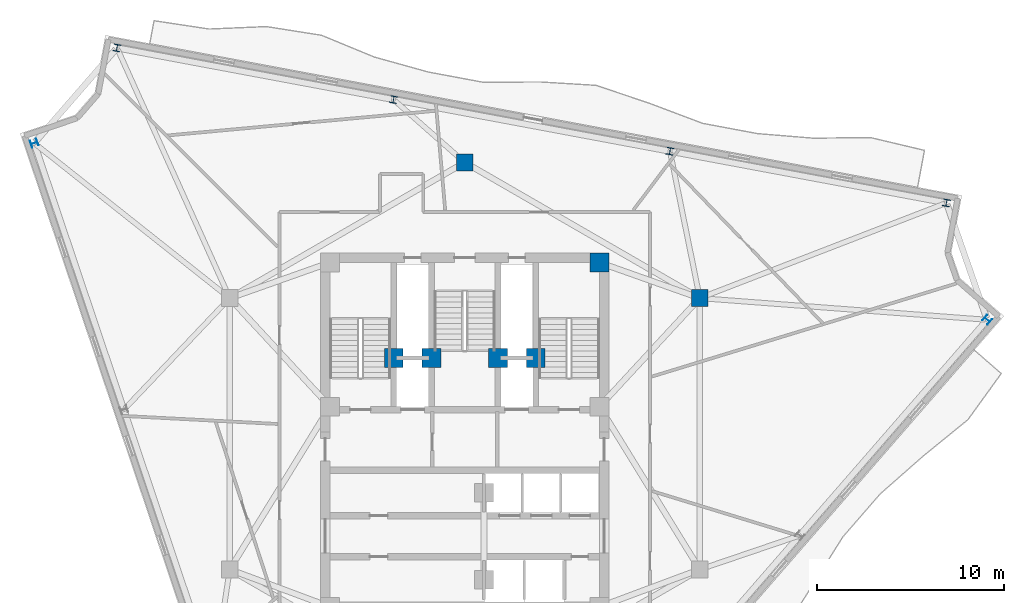
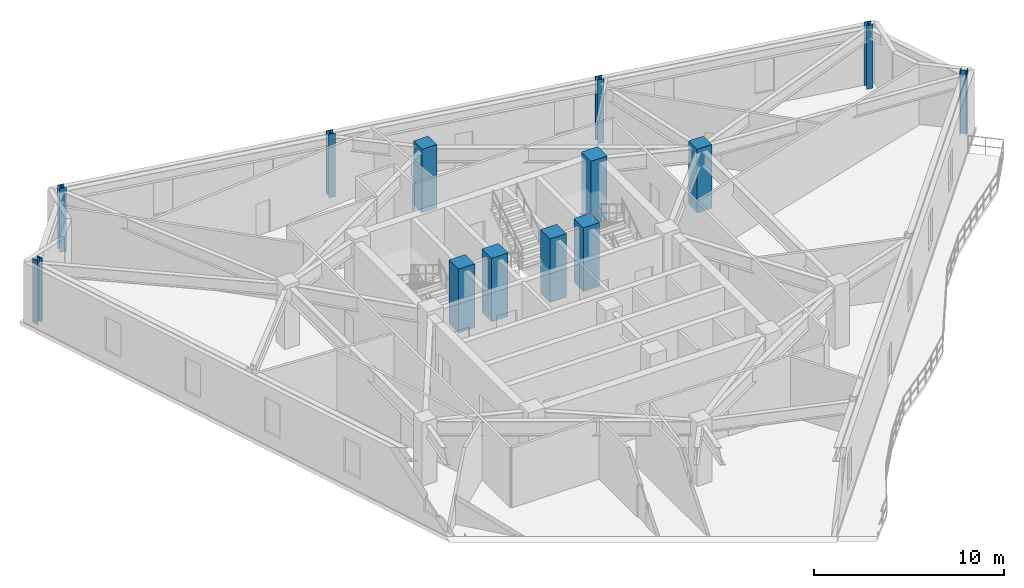
# One storey, part 2 of 10: 13 columns.
"""IFC4 building model written with IfcOpenShell, lengths in metres."""

from ifc_helpers import new_model, si_unit, direction, frame, origin, origin_2d, place, context, subcontext, project, spatial, rectangle, i_section, extrude, material, material_profile, profile_set, type_object, element, save


model = new_model("IFC4")

# Units and contexts
model_context = context("Model", 3, precision=1e-05, world=origin(), true_north=direction((0.0, 1.0)))
body_context = subcontext(model_context, "Body", "Model", "MODEL_VIEW")
ifc_project = project(units=[si_unit("LENGTHUNIT", "METRE"), si_unit("AREAUNIT", "SQUARE_METRE"), si_unit("VOLUMEUNIT", "CUBIC_METRE"), si_unit("PLANEANGLEUNIT", "RADIAN"), si_unit("MASSUNIT", "GRAM", prefix="KILO")], contexts=[model_context])

# Site, building, storey
site_placement = place(None, origin())
site = spatial("IfcSite", under=ifc_project, at=site_placement, CompositionType="ELEMENT")
building_placement = place(site_placement, origin())
building = spatial("IfcBuilding", under=site, at=building_placement, Name="Apsidion Concourse Tower", CompositionType="ELEMENT")
storey_placement = place(building_placement, frame((0.0, 0.0, 286.0)))
storey = spatial("IfcBuildingStorey", under=building, at=storey_placement, Name="L67", CompositionType="ELEMENT", Elevation=286.0)

# Columns
ifc_material_1 = material(Name="Concrete C50/60", Category="concrete")
ifc_material_profile_1 = material_profile(ifc_material_1, rectangle(XDim=1.0, YDim=1.0, at=origin_2d()), Name="RC 1000x1000")
ifc_profile_set_1 = profile_set([ifc_material_profile_1], Name="Concrete C50/60")
column_type_1 = type_object("IfcColumnType", Name="COL-RC-1000", PredefinedType="COLUMN", material=ifc_profile_set_1)
for number, where, z_axis, x_axis, name in (
    (1, (7.199951171875, 9.14990234375, 0.0), (0.0, 0.0, 1.0), (1.0, 0.0, 0.0), "L67 Core Super-Column SC4"),
    (2, (-3.800048828125, 4.050048828125, 0.0), (0.0, 0.0, 1.0), (1.0, 0.0, 0.0), "L67 Core Super-Column CC1"),
    (3, (3.800048828125, 4.050048828125, 0.0), (0.0, 0.0, 1.0), (1.0, 0.0, 0.0), "L67 Core Super-Column CC2"),
    (4, (-1.77490234375, 4.050048828125, 0.0), (0.0, 0.0, 1.0), (1.0, 0.0, 0.0), "L67 Core Super-Column CC3"),
    (5, (1.77490234375, 4.050048828125, 0.0), (0.0, 0.0, 1.0), (1.0, 0.0, 0.0), "L67 Core Super-Column CC4"),
):
    element("IfcColumn", number, at=place(storey_placement, frame(where, z_axis=z_axis, x_axis=x_axis)), inside=storey, type_object=column_type_1, Name=name, PredefinedType="COLUMN", context=body_context, shape_type="SweptSolid", body=[
        extrude(rectangle(XDim=1.0, YDim=1.0, at=origin_2d()), origin(), (0.0, 0.0, 1.0), 4.10009765625),
    ])
ifc_material_profile_2 = material_profile(ifc_material_1, rectangle(XDim=0.89990234375, YDim=0.89990234375, at=origin_2d()), Name="RC 900x900")
ifc_profile_set_2 = profile_set([ifc_material_profile_2], Name="Concrete C50/60")
column_type_2 = type_object("IfcColumnType", Name="COL-RC-900", PredefinedType="COLUMN", material=ifc_profile_set_2)
for number, where, z_axis, x_axis, name in (
    (6, (12.56005859375, 7.25, 0.0), (0.0, 0.0, 1.0), (1.0, 0.0, 0.0), "L67 Interior Spine Column IC3"),
    (7, (0.0, 14.5, 0.0), (0.0, 0.0, 1.0), (1.0, 0.0, 0.0), "L67 Interior Spine Column IC4"),
):
    element("IfcColumn", number, at=place(storey_placement, frame(where, z_axis=z_axis, x_axis=x_axis)), inside=storey, type_object=column_type_2, Name=name, PredefinedType="COLUMN", context=body_context, shape_type="SweptSolid", body=[
        extrude(rectangle(XDim=0.89990234375, YDim=0.89990234375, at=origin_2d()), origin(), (0.0, 0.0, 1.0), 4.10009765625),
    ])
ifc_material_2 = material(Name="Structural steel ASTM A992 Grade 50", Category="steel")
ifc_material_profile_3 = material_profile(ifc_material_2, i_section(OverallWidth=0.373046875, OverallDepth=0.373046875, WebThickness=0.016357421875, FlangeThickness=0.026123046875, at=origin_2d()), Name="W14X132")
ifc_profile_set_3 = profile_set([ifc_material_profile_3], Name="Structural steel ASTM A992 Grade 50")
column_type_3 = type_object("IfcColumnType", Name="COL-W14-132", PredefinedType="COLUMN", material=ifc_profile_set_3)
for number, where, z_axis, x_axis, name in (
    (8, (-23.00439453125, 15.53125, 0.0), (0.0, 0.0, 1.0), (-0.318628456287, 0.947879690069, 0.0), "L67 Rotated Perimeter Column PC01"),
    (9, (27.91455078125, 6.091064453125, 0.0), (0.0, 0.0, 1.0), (0.656059028991, 0.754709580223, 0.0), "L67 Rotated Perimeter Column PC08"),
    (10, (25.73779296875, 12.33837890625, 0.0), (0.0, 0.0, 1.0), (-0.982999500399, 0.183608230249, 0.0), "L67 Rotated Perimeter Column PC09"),
    (11, (10.964599609375, 15.0986328125, 0.0), (0.0, 0.0, 1.0), (-0.982999500399, 0.183608230249, 0.0), "L67 Rotated Perimeter Column PC10"),
    (12, (-3.80859375, 17.85888671875, 0.0), (0.0, 0.0, 1.0), (-0.982999500399, 0.183608230249, 0.0), "L67 Rotated Perimeter Column PC11"),
    (13, (-18.58154296875, 20.619140625, 0.0), (0.0, 0.0, 1.0), (-0.982999500399, 0.183608230249, 0.0), "L67 Rotated Perimeter Column PC12"),
):
    element("IfcColumn", number, at=place(storey_placement, frame(where, z_axis=z_axis, x_axis=x_axis)), inside=storey, type_object=column_type_3, Name=name, PredefinedType="COLUMN", context=body_context, shape_type="SweptSolid", body=[
        extrude(i_section(OverallWidth=0.373046875, OverallDepth=0.373046875, WebThickness=0.016357421875, FlangeThickness=0.026123046875, at=origin_2d()), origin(), (0.0, 0.0, 1.0), 4.10009765625),
    ])

save(model, "model.ifc")
